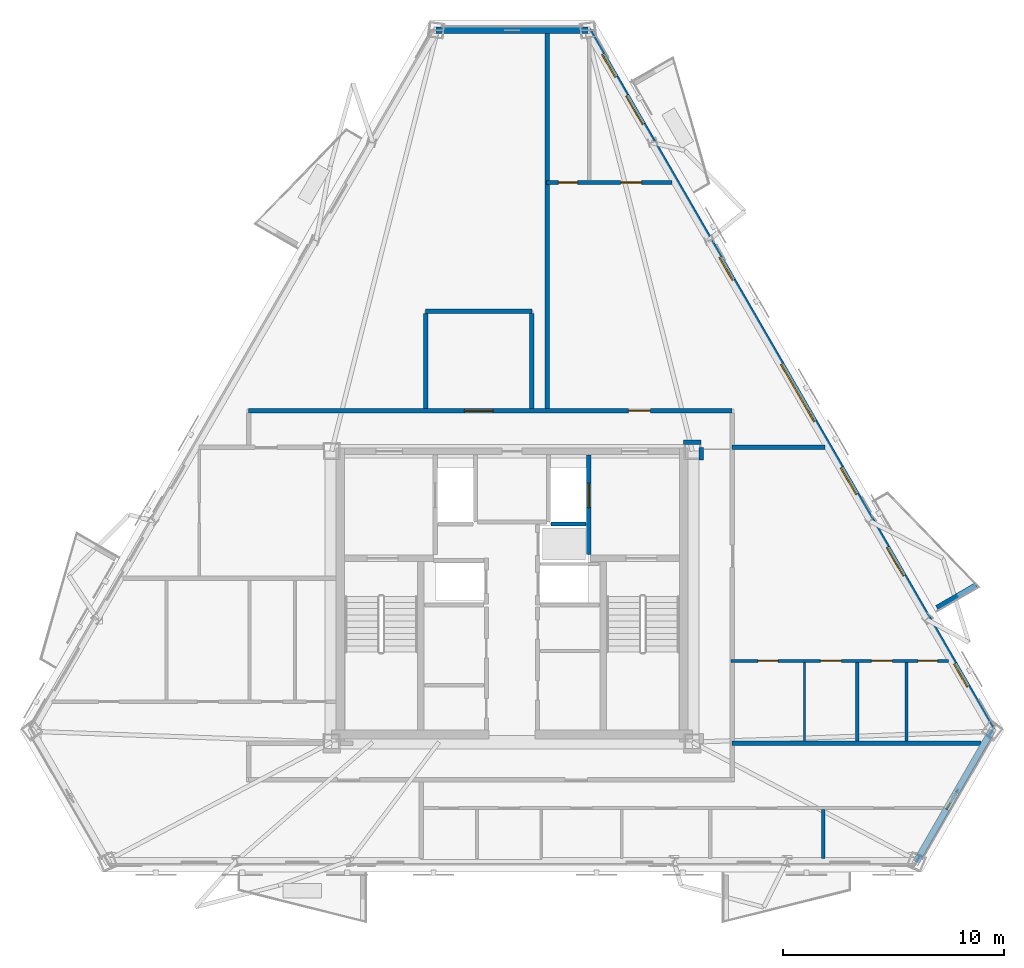
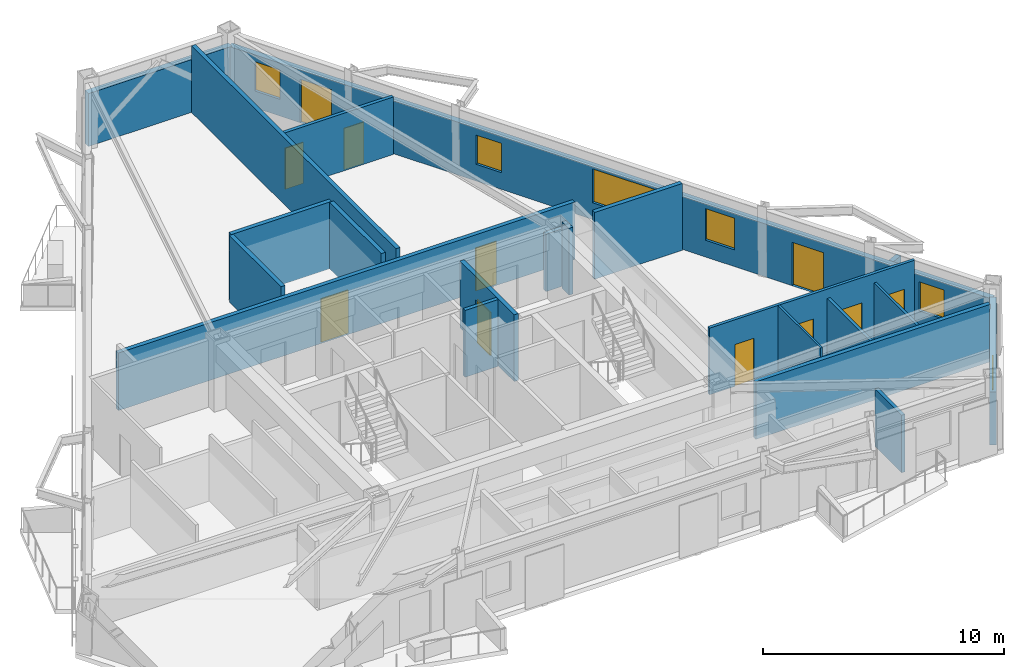
# One storey, part 5 of 11: 21 walls, 11 doors, 6 windows, 17 openings.
"""IFC4 building model written with IfcOpenShell, lengths in metres."""

from ifc_helpers import new_model, si_unit, direction, frame, frame_2d, origin, place, context, subcontext, project, spatial, polyline, rectangle, outline, extrude, material, layer, layer_set, type_object, element, fill, save


model = new_model("IFC4")

# Units and contexts
model_context = context("Model", 3, precision=1e-05, world=origin(), true_north=direction((0.0, 1.0)))
body_context = subcontext(model_context, "Body", "Model", "MODEL_VIEW")
ifc_project = project(units=[si_unit("LENGTHUNIT", "METRE"), si_unit("AREAUNIT", "SQUARE_METRE"), si_unit("VOLUMEUNIT", "CUBIC_METRE"), si_unit("PLANEANGLEUNIT", "RADIAN"), si_unit("MASSUNIT", "GRAM", prefix="KILO")], contexts=[model_context])

# Site, building, storey
site_placement = place(None, origin())
site = spatial("IfcSite", under=ifc_project, at=site_placement, CompositionType="ELEMENT")
building_placement = place(site_placement, origin())
building = spatial("IfcBuilding", under=site, at=building_placement, Name="Oramaril Tower", CompositionType="ELEMENT")
storey_placement = place(building_placement, frame((0.0, 0.0, 212.699951171875)))
storey = spatial("IfcBuildingStorey", under=building, at=storey_placement, Name="L56", CompositionType="ELEMENT", Elevation=212.699951171875)

# Wall, opening, window
ifc_material_1 = material(Name="Warm Cream Limestone", Category="masonry")
ifc_layer_1 = layer(ifc_material_1, 0.2900390625)
ifc_layer_set_1 = layer_set([ifc_layer_1], Name="WT-EXT29")
wall_type_1 = type_object("IfcWallType", Name="WT-EXT29", PredefinedType="SOLIDWALL", material=ifc_layer_set_1)
wall_1_placement = place(storey_placement, frame((55.761474609375, 5.584716796875, 0.0), z_axis=(0.0, 0.0, 1.0), x_axis=(0.499982540895, 0.866035483569, 0.0)))
wall_1 = element("IfcWall", 1, at=wall_1_placement, inside=storey, type_object=wall_type_1, Name="L56 Tower Limestone Facade Wall 3M", PredefinedType="SOLIDWALL", context=body_context, shape_type="SweptSolid", body=[
    extrude(rectangle(XDim=6.879638671875, YDim=0.2900390625, at=frame_2d((3.43994140625, 0.0))), origin(), (0.0, 0.0, 1.0), 2.677001953125),
])
opening_1_placement = place(wall_1_placement, frame((2.75, 0.0, 0.85009765625)))
opening_1 = element("IfcOpeningElement", 2, at=opening_1_placement, cuts=wall_1, Name="Opening WN-12", PredefinedType="OPENING", context=body_context, shape_type="SweptSolid", body=[
    extrude(rectangle(XDim=0.89990234375, YDim=1.14990234375, at=frame_2d((0.449951171875, 0.574951171875))), frame((0.0, 0.14501953125, 0.0), z_axis=(0.0, -1.0, 0.0), x_axis=(1.0, 0.0, 0.0)), (0.0, 0.0, 1.0), 0.2900390625),
])
ifc_material_2 = material(Name="Coastal Low-E Insulated Glass", Category="glass")
window_type_1 = type_object("IfcWindowType", Name="WNT-12", PartitioningType="SINGLE_PANEL", PredefinedType="WINDOW", material=ifc_material_2)
window_1_placement = place(opening_1_placement, origin())
window_1 = element("IfcWindow", 3, at=window_1_placement, inside=storey, type_object=window_type_1, Name="L56 Apartment Bedroom Window WN-12", OverallHeight=1.14990234375, OverallWidth=0.89990234375, PartitioningType="SINGLE_PANEL", PredefinedType="WINDOW", context=body_context, shape_type="SweptSolid", body=[
    extrude(rectangle(XDim=0.89990234375, YDim=1.14990234375, at=frame_2d((0.449951171875, 0.574951171875))), frame((0.0, 0.030029296875, 0.0), z_axis=(0.0, -1.0, 0.0), x_axis=(1.0, 0.0, 0.0)), (0.0, 0.0, 1.0), 0.06005859375),
])
fill(opening_1, window_1)

# Wall, openings, doors, windows
wall_2_placement = place(storey_placement, frame((59.201171875, 11.542724609375, 0.0), z_axis=(0.0, 0.0, 1.0), x_axis=(-0.499999040053, 0.866025958009, 0.0)))
wall_2 = element("IfcWall", 4, at=wall_2_placement, inside=storey, type_object=wall_type_1, Name="L56 Tower Limestone Facade Wall 4M", PredefinedType="SOLIDWALL", context=body_context, shape_type="SweptSolid", body=[
    extrude(rectangle(XDim=36.52294921875, YDim=0.2900390625, at=frame_2d((18.261474609375, 0.0))), origin(), (0.0, 0.0, 1.0), 2.677001953125),
])
opening_2_placement = place(wall_2_placement, frame((8.034423828125, 0.0, 0.0)))
opening_2 = element("IfcOpeningElement", 5, at=opening_2_placement, cuts=wall_2, Name="Opening D-L56-BAL-NE1", PredefinedType="OPENING", context=body_context, shape_type="SweptSolid", body=[
    extrude(rectangle(XDim=1.5, YDim=2.199951171875, at=frame_2d((0.75, 1.10009765625))), frame((0.0, 0.14501953125, 0.0), z_axis=(0.0, -1.0, 0.0), x_axis=(1.0, 0.0, 0.0)), (0.0, 0.0, 1.0), 0.2900390625),
])
opening_3_placement = place(wall_2_placement, frame((31.593505859375, 0.0, 0.0)))
opening_3 = element("IfcOpeningElement", 6, at=opening_3_placement, cuts=wall_2, Name="Opening D-L56-BAL-NE2", PredefinedType="OPENING", context=body_context, shape_type="SweptSolid", body=[
    extrude(rectangle(XDim=1.5, YDim=2.199951171875, at=frame_2d((0.75, 1.10009765625))), frame((0.0, 0.14501953125, 0.0), z_axis=(0.0, -1.0, 0.0), x_axis=(1.0, 0.0, 0.0)), (0.0, 0.0, 1.0), 0.2900390625),
])
opening_4_placement = place(wall_2_placement, frame((12.291015625, 0.0, 0.85009765625)))
opening_4 = element("IfcOpeningElement", 7, at=opening_4_placement, cuts=wall_2, Name="Opening WN-08", PredefinedType="OPENING", context=body_context, shape_type="SweptSolid", body=[
    extrude(rectangle(XDim=1.39990234375, YDim=1.60009765625, at=frame_2d((0.699951171875, 0.800048828125))), frame((0.0, 0.14501953125, 0.0), z_axis=(0.0, -1.0, 0.0), x_axis=(1.0, 0.0, 0.0)), (0.0, 0.0, 1.0), 0.2900390625),
])
opening_5_placement = place(wall_2_placement, frame((2.251708984375, 0.0, 0.85009765625)))
opening_5 = element("IfcOpeningElement", 8, at=opening_5_placement, cuts=wall_2, Name="Opening WN-09", PredefinedType="OPENING", context=body_context, shape_type="SweptSolid", body=[
    extrude(rectangle(XDim=1.199951171875, YDim=1.47998046875, at=frame_2d((0.60009765625, 0.739990234375))), frame((0.0, 0.14501953125, 0.0), z_axis=(0.0, -1.0, 0.0), x_axis=(1.0, 0.0, 0.0)), (0.0, 0.0, 1.0), 0.2900390625),
])
opening_6_placement = place(wall_2_placement, frame((16.0927734375, 0.0, 0.85009765625)))
opening_6 = element("IfcOpeningElement", 9, at=opening_6_placement, cuts=wall_2, Name="Opening WN-10", PredefinedType="OPENING", context=body_context, shape_type="SweptSolid", body=[
    extrude(rectangle(XDim=3.0, YDim=1.717041015625, at=frame_2d((1.5, 0.8583984375))), frame((0.0, 0.14501953125, 0.0), z_axis=(0.0, -1.0, 0.0), x_axis=(1.0, 0.0, 0.0)), (0.0, 0.0, 1.0), 0.2900390625),
])
opening_7_placement = place(wall_2_placement, frame((23.45751953125, 0.0, 0.85009765625)))
opening_7 = element("IfcOpeningElement", 10, at=opening_7_placement, cuts=wall_2, Name="Opening WN-09", PredefinedType="OPENING", context=body_context, shape_type="SweptSolid", body=[
    extrude(rectangle(XDim=1.199951171875, YDim=1.47998046875, at=frame_2d((0.60009765625, 0.739990234375))), frame((0.0, 0.14501953125, 0.0), z_axis=(0.0, -1.0, 0.0), x_axis=(1.0, 0.0, 0.0)), (0.0, 0.0, 1.0), 0.2900390625),
])
opening_8_placement = place(wall_2_placement, frame((34.060791015625, 0.0, 0.85009765625)))
opening_8 = element("IfcOpeningElement", 11, at=opening_8_placement, cuts=wall_2, Name="Opening WN-09", PredefinedType="OPENING", context=body_context, shape_type="SweptSolid", body=[
    extrude(rectangle(XDim=1.199951171875, YDim=1.47998046875, at=frame_2d((0.60009765625, 0.739990234375))), frame((0.0, 0.14501953125, 0.0), z_axis=(0.0, -1.0, 0.0), x_axis=(1.0, 0.0, 0.0)), (0.0, 0.0, 1.0), 0.2900390625),
])
ifc_material_3 = material(Name="Anodised Aluminium 6063-T6", Category="aluminium")
door_type_1 = type_object("IfcDoorType", Name="DT-BAL", OperationType="NOTDEFINED", PredefinedType="DOOR", material=ifc_material_3)
door_1_placement = place(opening_2_placement, origin())
door_1 = element("IfcDoor", 12, at=door_1_placement, inside=storey, type_object=door_type_1, Name="L56 Balcony Glazed Door L56-BAL-NE1", OperationType="SINGLE_SWING_LEFT", OverallHeight=2.199951171875, OverallWidth=1.5, PredefinedType="DOOR", context=body_context, shape_type="SweptSolid", body=[
    extrude(rectangle(XDim=1.5, YDim=2.199951171875, at=frame_2d((0.75, 1.10009765625))), frame((0.0, 0.02490234375, 0.0), z_axis=(0.0, -1.0, 0.0), x_axis=(1.0, 0.0, 0.0)), (0.0, 0.0, 1.0), 0.050048828125),
])
fill(opening_2, door_1)
door_2_placement = place(opening_3_placement, origin())
door_2 = element("IfcDoor", 13, at=door_2_placement, inside=storey, type_object=door_type_1, Name="L56 Balcony Glazed Door L56-BAL-NE2", OperationType="SINGLE_SWING_RIGHT", OverallHeight=2.199951171875, OverallWidth=1.5, PredefinedType="DOOR", context=body_context, shape_type="SweptSolid", body=[
    extrude(rectangle(XDim=1.5, YDim=2.199951171875, at=frame_2d((0.75, 1.10009765625))), frame((0.0, 0.02490234375, 0.0), z_axis=(0.0, -1.0, 0.0), x_axis=(1.0, 0.0, 0.0)), (0.0, 0.0, 1.0), 0.050048828125),
])
fill(opening_3, door_2)
ifc_material_4 = material(Name="Coastal Low-E Insulated Glass", Category="glass")
window_type_2 = type_object("IfcWindowType", Name="WNT-08", PartitioningType="SINGLE_PANEL", PredefinedType="WINDOW", material=ifc_material_4)
window_2_placement = place(opening_4_placement, origin())
window_2 = element("IfcWindow", 14, at=window_2_placement, inside=storey, type_object=window_type_2, Name="L56 Chicago Bay Window WN-08", OverallHeight=1.60009765625, OverallWidth=1.39990234375, PartitioningType="SINGLE_PANEL", PredefinedType="WINDOW", context=body_context, shape_type="SweptSolid", body=[
    extrude(rectangle(XDim=1.39990234375, YDim=1.60009765625, at=frame_2d((0.699951171875, 0.800048828125))), frame((0.0, 0.030029296875, 0.0), z_axis=(0.0, -1.0, 0.0), x_axis=(1.0, 0.0, 0.0)), (0.0, 0.0, 1.0), 0.06005859375),
])
fill(opening_4, window_2)
ifc_material_5 = material(Name="Coastal Low-E Insulated Glass", Category="glass")
window_type_3 = type_object("IfcWindowType", Name="WNT-09", PartitioningType="SINGLE_PANEL", PredefinedType="WINDOW", material=ifc_material_5)
window_3_placement = place(opening_5_placement, origin())
window_3 = element("IfcWindow", 15, at=window_3_placement, inside=storey, type_object=window_type_3, Name="L56 Chicago Bay Window WN-09", OverallHeight=1.47998046875, OverallWidth=1.199951171875, PartitioningType="SINGLE_PANEL", PredefinedType="WINDOW", context=body_context, shape_type="SweptSolid", body=[
    extrude(rectangle(XDim=1.199951171875, YDim=1.47998046875, at=frame_2d((0.60009765625, 0.739990234375))), frame((0.0, 0.030029296875, 0.0), z_axis=(0.0, -1.0, 0.0), x_axis=(1.0, 0.0, 0.0)), (0.0, 0.0, 1.0), 0.06005859375),
])
fill(opening_5, window_3)
window_4_placement = place(opening_7_placement, origin())
window_4 = element("IfcWindow", 16, at=window_4_placement, inside=storey, type_object=window_type_3, Name="L56 Chicago Bay Window WN-09", OverallHeight=1.47998046875, OverallWidth=1.199951171875, PartitioningType="SINGLE_PANEL", PredefinedType="WINDOW", context=body_context, shape_type="SweptSolid", body=[
    extrude(rectangle(XDim=1.199951171875, YDim=1.47998046875, at=frame_2d((0.60009765625, 0.739990234375))), frame((0.0, 0.030029296875, 0.0), z_axis=(0.0, -1.0, 0.0), x_axis=(1.0, 0.0, 0.0)), (0.0, 0.0, 1.0), 0.06005859375),
])
fill(opening_7, window_4)
window_5_placement = place(opening_8_placement, origin())
window_5 = element("IfcWindow", 17, at=window_5_placement, inside=storey, type_object=window_type_3, Name="L56 Chicago Bay Window WN-09", OverallHeight=1.47998046875, OverallWidth=1.199951171875, PartitioningType="SINGLE_PANEL", PredefinedType="WINDOW", context=body_context, shape_type="SweptSolid", body=[
    extrude(rectangle(XDim=1.199951171875, YDim=1.47998046875, at=frame_2d((0.60009765625, 0.739990234375))), frame((0.0, 0.030029296875, 0.0), z_axis=(0.0, -1.0, 0.0), x_axis=(1.0, 0.0, 0.0)), (0.0, 0.0, 1.0), 0.06005859375),
])
fill(opening_8, window_5)
ifc_material_6 = material(Name="Coastal Low-E Insulated Glass", Category="glass")
window_type_4 = type_object("IfcWindowType", Name="WNT-10", PartitioningType="SINGLE_PANEL", PredefinedType="WINDOW", material=ifc_material_6)
window_6_placement = place(opening_6_placement, origin())
window_6 = element("IfcWindow", 18, at=window_6_placement, inside=storey, type_object=window_type_4, Name="L56 Chicago Bay Window WN-10", OverallHeight=1.717041015625, OverallWidth=3.0, PartitioningType="SINGLE_PANEL", PredefinedType="WINDOW", context=body_context, shape_type="SweptSolid", body=[
    extrude(rectangle(XDim=3.0, YDim=1.717041015625, at=frame_2d((1.5, 0.8583984375))), frame((0.0, 0.030029296875, 0.0), z_axis=(0.0, -1.0, 0.0), x_axis=(1.0, 0.0, 0.0)), (0.0, 0.0, 1.0), 0.06005859375),
])
fill(opening_6, window_6)

# Walls
wall_3_placement = place(storey_placement, frame((40.939697265625, 43.172607421875, 0.0), z_axis=(0.0, 0.0, 1.0), x_axis=(-1.0, 0.0, 0.0)))
element("IfcWall", 19, at=wall_3_placement, inside=storey, type_object=wall_type_1, Name="L56 Tower Limestone Facade Wall 5M", PredefinedType="SOLIDWALL", context=body_context, shape_type="SweptSolid", body=[
    extrude(rectangle(XDim=6.87939453125, YDim=0.2900390625, at=frame_2d((3.439697265625, 0.0))), origin(), (0.0, 0.0, 1.0), 2.677001953125),
])
ifc_material_7 = material(Name="Concrete C40/50", Category="concrete")
ifc_layer_2 = layer(ifc_material_7, 0.22998046875)
ifc_layer_set_2 = layer_set([ifc_layer_2], Name="WT-PRP23")
wall_type_2 = type_object("IfcWallType", Name="WT-PRP23", PredefinedType="PARAPET", material=ifc_layer_set_2)
wall_4_placement = place(storey_placement, frame((56.699462890625, 17.072021484375, 0.0), z_axis=(0.0, 0.0, 1.0), x_axis=(0.866012356593, 0.500022597718, 0.0)))
element("IfcWall", 20, at=wall_4_placement, inside=storey, type_object=wall_type_2, Name="L56 Trapezoidal Balcony Frame Cheek L56-BAL-NE1-L", PredefinedType="PARAPET", context=body_context, shape_type="SweptSolid", body=[
    extrude(outline(polyline([(0.0, 0.0), (2.0419921875, 0.0), (2.0419921875, 1.10009765625), (0.0, 1.320068359375), (0.0, 0.0)])), frame((0.0, 0.114990234375, 0.0), z_axis=(0.0, -1.0, 0.0), x_axis=(1.0, 0.0, 0.0)), (0.0, 0.0, 1.0), 0.22998046875),
])
ifc_material_8 = material(Name="Acoustic Gypsum Board Partition")
ifc_layer_3 = layer(ifc_material_8, 0.10009765625)
ifc_layer_set_3 = layer_set([ifc_layer_3], Name="WT-PT10")
wall_type_3 = type_object("IfcWallType", Name="WT-PT10", PredefinedType="PARTITIONING", material=ifc_layer_set_3)
wall_5_placement = place(storey_placement, frame((50.719970703125, 11.053955078125, 0.0), z_axis=(0.0, 0.0, 1.0), x_axis=(0.0, 1.0, 0.0)))
element("IfcWall", 21, at=wall_5_placement, inside=storey, type_object=wall_type_3, Name="L56 Interior Partition PT-10", PredefinedType="PARTITIONING", context=body_context, shape_type="SweptSolid", body=[
    extrude(rectangle(XDim=3.5419921875, YDim=0.10009765625, at=frame_2d((1.77099609375, 0.0))), origin(), (0.0, 0.0, 1.0), 3.380126953125),
])
ifc_material_9 = material(Name="Acoustic Gypsum Board Partition")
ifc_layer_4 = layer(ifc_material_9, 0.1201171875)
ifc_layer_set_4 = layer_set([ifc_layer_4], Name="WT-PT12")
wall_type_4 = type_object("IfcWallType", Name="WT-PT12", PredefinedType="PARTITIONING", material=ifc_layer_set_4)
wall_6_placement = place(storey_placement, frame((55.330078125, 11.053955078125, 0.0), z_axis=(0.0, 0.0, 1.0), x_axis=(0.0, 1.0, 0.0)))
element("IfcWall", 22, at=wall_6_placement, inside=storey, type_object=wall_type_4, Name="L56 Interior Partition PT-12", PredefinedType="PARTITIONING", context=body_context, shape_type="SweptSolid", body=[
    extrude(rectangle(XDim=3.5419921875, YDim=0.1201171875, at=frame_2d((1.77099609375, 0.0))), origin(), (0.0, 0.0, 1.0), 2.9130859375),
])

# Wall, openings, doors
ifc_material_10 = material(Name="Acoustic Gypsum Board Partition")
ifc_layer_5 = layer(ifc_material_10, 0.139892578125)
ifc_layer_set_5 = layer_set([ifc_layer_5], Name="WT-PT14")
wall_type_5 = type_object("IfcWallType", Name="WT-PT14", PredefinedType="PARTITIONING", material=ifc_layer_set_5)
wall_7_placement = place(storey_placement, frame((47.39990234375, 14.669921875, 0.0), z_axis=(0.0, 0.0, 1.0), x_axis=(1.0, 0.0, 0.0)))
wall_7 = element("IfcWall", 23, at=wall_7_placement, inside=storey, type_object=wall_type_5, Name="L56 Interior Partition PT-14", PredefinedType="PARTITIONING", context=body_context, shape_type="SweptSolid", body=[
    extrude(rectangle(XDim=9.82373046875, YDim=0.139892578125, at=frame_2d((4.911865234375, 0.0))), origin(), (0.0, 0.0, 1.0), 3.380126953125),
])
opening_9_placement = place(wall_7_placement, frame((1.20751953125, 0.0, 0.0)))
opening_9 = element("IfcOpeningElement", 24, at=opening_9_placement, cuts=wall_7, Name="Opening D-L56-13", PredefinedType="OPENING", context=body_context, shape_type="SweptSolid", body=[
    extrude(rectangle(XDim=0.919921875, YDim=2.1201171875, at=frame_2d((0.4599609375, 1.06005859375))), frame((0.0, 0.06982421875, 0.0), z_axis=(0.0, -1.0, 0.0), x_axis=(1.0, 0.0, 0.0)), (0.0, 0.0, 1.0), 0.139892578125),
])
opening_10_placement = place(wall_7_placement, frame((4.033203125, 0.0, 0.0)))
opening_10 = element("IfcOpeningElement", 25, at=opening_10_placement, cuts=wall_7, Name="Opening D-L56-14", PredefinedType="OPENING", context=body_context, shape_type="SweptSolid", body=[
    extrude(rectangle(XDim=0.949951171875, YDim=2.10009765625, at=frame_2d((0.47509765625, 1.050048828125))), frame((0.0, 0.06982421875, 0.0), z_axis=(0.0, -1.0, 0.0), x_axis=(1.0, 0.0, 0.0)), (0.0, 0.0, 1.0), 0.139892578125),
])
opening_11_placement = place(wall_7_placement, frame((6.341796875, 0.0, 0.0)))
opening_11 = element("IfcOpeningElement", 26, at=opening_11_placement, cuts=wall_7, Name="Opening D-L56-15", PredefinedType="OPENING", context=body_context, shape_type="SweptSolid", body=[
    extrude(rectangle(XDim=0.949951171875, YDim=2.10009765625, at=frame_2d((0.47509765625, 1.050048828125))), frame((0.0, 0.06982421875, 0.0), z_axis=(0.0, -1.0, 0.0), x_axis=(1.0, 0.0, 0.0)), (0.0, 0.0, 1.0), 0.139892578125),
])
opening_12_placement = place(wall_7_placement, frame((8.452392578125, 0.0, 0.0)))
opening_12 = element("IfcOpeningElement", 27, at=opening_12_placement, cuts=wall_7, Name="Opening D-L56-16", PredefinedType="OPENING", context=body_context, shape_type="SweptSolid", body=[
    extrude(rectangle(XDim=0.8798828125, YDim=2.080078125, at=frame_2d((0.43994140625, 1.0400390625))), frame((0.0, 0.06982421875, 0.0), z_axis=(0.0, -1.0, 0.0), x_axis=(1.0, 0.0, 0.0)), (0.0, 0.0, 1.0), 0.139892578125),
])
ifc_material_11 = material(Name="FSC Brazilian Freijo Hardwood", Category="wood")
door_type_2 = type_object("IfcDoorType", Name="DT-BATH", OperationType="NOTDEFINED", PredefinedType="DOOR", material=ifc_material_11)
door_3_placement = place(opening_12_placement, origin())
door_3 = element("IfcDoor", 28, at=door_3_placement, inside=storey, type_object=door_type_2, Name="L56 Flat L56-U4 Bathroom Door D-L56-16", OperationType="SINGLE_SWING_LEFT", OverallHeight=2.080078125, OverallWidth=0.8798828125, PredefinedType="DOOR", context=body_context, shape_type="SweptSolid", body=[
    extrude(rectangle(XDim=0.8798828125, YDim=2.080078125, at=frame_2d((0.43994140625, 1.0400390625))), frame((0.0, 0.02490234375, 0.0), z_axis=(0.0, -1.0, 0.0), x_axis=(1.0, 0.0, 0.0)), (0.0, 0.0, 1.0), 0.050048828125),
])
fill(opening_12, door_3)
ifc_material_12 = material(Name="FSC Brazilian Freijo Hardwood", Category="wood")
door_type_3 = type_object("IfcDoorType", Name="DT-BED", OperationType="NOTDEFINED", PredefinedType="DOOR", material=ifc_material_12)
door_4_placement = place(opening_9_placement, origin())
door_4 = element("IfcDoor", 29, at=door_4_placement, inside=storey, type_object=door_type_3, Name="L56 Flat L56-U4 Master Bedroom Door D-L56-13", OperationType="SINGLE_SWING_RIGHT", OverallHeight=2.1201171875, OverallWidth=0.919921875, PredefinedType="DOOR", context=body_context, shape_type="SweptSolid", body=[
    extrude(rectangle(XDim=0.919921875, YDim=2.1201171875, at=frame_2d((0.4599609375, 1.06005859375))), frame((0.0, 0.02490234375, 0.0), z_axis=(0.0, -1.0, 0.0), x_axis=(1.0, 0.0, 0.0)), (0.0, 0.0, 1.0), 0.050048828125),
])
fill(opening_9, door_4)
ifc_material_13 = material(Name="FSC Brazilian Freijo Hardwood", Category="wood")
door_type_4 = type_object("IfcDoorType", Name="DT-STDY", OperationType="NOTDEFINED", PredefinedType="DOOR", material=ifc_material_13)
door_5_placement = place(opening_10_placement, origin())
door_5 = element("IfcDoor", 30, at=door_5_placement, inside=storey, type_object=door_type_4, Name="L56 Flat L56-U4 Dining Room Door D-L56-14", OperationType="SINGLE_SWING_LEFT", OverallHeight=2.10009765625, OverallWidth=0.949951171875, PredefinedType="DOOR", context=body_context, shape_type="SweptSolid", body=[
    extrude(rectangle(XDim=0.949951171875, YDim=2.10009765625, at=frame_2d((0.47509765625, 1.050048828125))), frame((0.0, 0.02490234375, 0.0), z_axis=(0.0, -1.0, 0.0), x_axis=(1.0, 0.0, 0.0)), (0.0, 0.0, 1.0), 0.050048828125),
])
fill(opening_10, door_5)
door_6_placement = place(opening_11_placement, origin())
door_6 = element("IfcDoor", 31, at=door_6_placement, inside=storey, type_object=door_type_4, Name="L56 Flat L56-U4 Kitchen Door D-L56-15", OperationType="SINGLE_SWING_RIGHT", OverallHeight=2.10009765625, OverallWidth=0.949951171875, PredefinedType="DOOR", context=body_context, shape_type="SweptSolid", body=[
    extrude(rectangle(XDim=0.949951171875, YDim=2.10009765625, at=frame_2d((0.47509765625, 1.050048828125))), frame((0.0, 0.02490234375, 0.0), z_axis=(0.0, -1.0, 0.0), x_axis=(1.0, 0.0, 0.0)), (0.0, 0.0, 1.0), 0.050048828125),
])
fill(opening_11, door_6)

# Wall
wall_8_placement = place(storey_placement, frame((53.10009765625, 11.053955078125, 0.0), z_axis=(0.0, 0.0, 1.0), x_axis=(0.0, 1.0, 0.0)))
element("IfcWall", 32, at=wall_8_placement, inside=storey, type_object=wall_type_5, Name="L56 Interior Partition PT-14", PredefinedType="PARTITIONING", context=body_context, shape_type="SweptSolid", body=[
    extrude(rectangle(XDim=3.5419921875, YDim=0.139892578125, at=frame_2d((1.77099609375, 0.0))), origin(), (0.0, 0.0, 1.0), 2.9130859375),
])

# Wall, openings, doors
ifc_material_14 = material(Name="Acoustic Gypsum Board Partition")
ifc_layer_6 = layer(ifc_material_14, 0.159912109375)
ifc_layer_set_6 = layer_set([ifc_layer_6], Name="WT-PT16")
wall_type_6 = type_object("IfcWallType", Name="WT-PT16", PredefinedType="PARTITIONING", material=ifc_layer_set_6)
wall_9_placement = place(storey_placement, frame((39.050048828125, 36.2900390625, 0.0), z_axis=(0.0, 0.0, 1.0), x_axis=(1.0, 0.0, 0.0)))
wall_9 = element("IfcWall", 33, at=wall_9_placement, inside=storey, type_object=wall_type_6, Name="L56 Interior Partition PT-16", PredefinedType="PARTITIONING", context=body_context, shape_type="SweptSolid", body=[
    extrude(rectangle(XDim=5.691162109375, YDim=0.159912109375, at=frame_2d((2.845703125, 0.0))), origin(), (0.0, 0.0, 1.0), 2.9130859375),
])
opening_13_placement = place(wall_9_placement, frame((0.5400390625, 0.0, 0.0)))
opening_13 = element("IfcOpeningElement", 34, at=opening_13_placement, cuts=wall_9, Name="Opening D-L56-20", PredefinedType="OPENING", context=body_context, shape_type="SweptSolid", body=[
    extrude(rectangle(XDim=0.8798828125, YDim=2.080078125, at=frame_2d((0.43994140625, 1.0400390625))), frame((0.0, 0.080078125, 0.0), z_axis=(0.0, -1.0, 0.0), x_axis=(1.0, 0.0, 0.0)), (0.0, 0.0, 1.0), 0.159912109375),
])
opening_14_placement = place(wall_9_placement, frame((3.355224609375, 0.0, 0.0)))
opening_14 = element("IfcOpeningElement", 35, at=opening_14_placement, cuts=wall_9, Name="Opening D-L56-21", PredefinedType="OPENING", context=body_context, shape_type="SweptSolid", body=[
    extrude(rectangle(XDim=0.949951171875, YDim=2.10009765625, at=frame_2d((0.47509765625, 1.050048828125))), frame((0.0, 0.080078125, 0.0), z_axis=(0.0, -1.0, 0.0), x_axis=(1.0, 0.0, 0.0)), (0.0, 0.0, 1.0), 0.159912109375),
])
door_7_placement = place(opening_13_placement, origin())
door_7 = element("IfcDoor", 36, at=door_7_placement, inside=storey, type_object=door_type_2, Name="L56 Flat L56-U6 Bathroom Door D-L56-20", OperationType="SINGLE_SWING_LEFT", OverallHeight=2.080078125, OverallWidth=0.8798828125, PredefinedType="DOOR", context=body_context, shape_type="SweptSolid", body=[
    extrude(rectangle(XDim=0.8798828125, YDim=2.080078125, at=frame_2d((0.43994140625, 1.0400390625))), frame((0.0, 0.02490234375, 0.0), z_axis=(0.0, -1.0, 0.0), x_axis=(1.0, 0.0, 0.0)), (0.0, 0.0, 1.0), 0.050048828125),
])
fill(opening_13, door_7)
door_8_placement = place(opening_14_placement, origin())
door_8 = element("IfcDoor", 37, at=door_8_placement, inside=storey, type_object=door_type_4, Name="L56 Flat L56-U6 Kitchen Door D-L56-21", OperationType="SINGLE_SWING_RIGHT", OverallHeight=2.10009765625, OverallWidth=0.949951171875, PredefinedType="DOOR", context=body_context, shape_type="SweptSolid", body=[
    extrude(rectangle(XDim=0.949951171875, YDim=2.10009765625, at=frame_2d((0.47509765625, 1.050048828125))), frame((0.0, 0.02490234375, 0.0), z_axis=(0.0, -1.0, 0.0), x_axis=(1.0, 0.0, 0.0)), (0.0, 0.0, 1.0), 0.050048828125),
])
fill(opening_14, door_8)

# Walls
wall_10_placement = place(storey_placement, frame((51.56005859375, 5.73388671875, 0.0), z_axis=(0.0, 0.0, 1.0), x_axis=(0.0, 1.0, 0.0)))
element("IfcWall", 38, at=wall_10_placement, inside=storey, type_object=wall_type_6, Name="L56 Interior Partition PT-16", PredefinedType="PARTITIONING", context=body_context, shape_type="SweptSolid", body=[
    extrude(rectangle(XDim=2.22216796875, YDim=0.159912109375, at=frame_2d((1.111083984375, 0.0))), origin(), (0.0, 0.0, 1.0), 2.9130859375),
])
ifc_material_15 = material(Name="Autoclaved Cellular Concrete Block", Category="concrete")
ifc_layer_7 = layer(ifc_material_15, 0.179931640625)
ifc_layer_set_7 = layer_set([ifc_layer_7], Name="WT-PT18")
wall_type_7 = type_object("IfcWallType", Name="WT-PT18", PredefinedType="PARTITIONING", material=ifc_layer_set_7)
wall_11_placement = place(storey_placement, frame((39.260009765625, 20.860107421875, 0.0), z_axis=(0.0, 0.0, 1.0), x_axis=(1.0, 0.0, 0.0)))
element("IfcWall", 39, at=wall_11_placement, inside=storey, type_object=wall_type_7, Name="L56 FL-2 South Shaft Wall", PredefinedType="PARTITIONING", context=body_context, shape_type="SweptSolid", body=[
    extrude(rectangle(XDim=1.580078125, YDim=0.179931640625, at=frame_2d((0.7900390625, 0.0))), origin(), (0.0, 0.0, 1.0), 3.380126953125),
])
ifc_material_16 = material(Name="Autoclaved Cellular Concrete Block", Category="concrete")
ifc_layer_8 = layer(ifc_material_16, 0.199951171875)
ifc_layer_set_8 = layer_set([ifc_layer_8], Name="WT-PT20")
wall_type_8 = type_object("IfcWallType", Name="WT-PT20", PredefinedType="PARTITIONING", material=ifc_layer_set_8)
wall_12_placement = place(storey_placement, frame((47.449951171875, 10.949951171875, 0.0), z_axis=(0.0, 0.0, 1.0), x_axis=(1.0, 0.0, 0.0)))
element("IfcWall", 40, at=wall_12_placement, inside=storey, type_object=wall_type_8, Name="L56 Interior Partition PT-20", PredefinedType="PARTITIONING", context=body_context, shape_type="SweptSolid", body=[
    extrude(rectangle(XDim=11.237060546875, YDim=0.199951171875, at=frame_2d((5.61865234375, 0.0))), origin(), (0.0, 0.0, 1.0), 2.9130859375),
])
wall_13_placement = place(storey_placement, frame((47.449951171875, 24.320068359375, 0.0), z_axis=(0.0, 0.0, 1.0), x_axis=(1.0, 0.0, 0.0)))
element("IfcWall", 41, at=wall_13_placement, inside=storey, type_object=wall_type_8, Name="L56 Interior Partition PT-20", PredefinedType="PARTITIONING", context=body_context, shape_type="SweptSolid", body=[
    extrude(rectangle(XDim=4.2021484375, YDim=0.199951171875, at=frame_2d((2.10107421875, 0.0))), origin(), (0.0, 0.0, 1.0), 3.380126953125),
])
wall_14_placement = place(storey_placement, frame((45.2548828125, 24.550048828125, 0.0), z_axis=(0.0, 0.0, 1.0), x_axis=(1.0, 0.0, 0.0)))
element("IfcWall", 42, at=wall_14_placement, inside=storey, type_object=wall_type_8, Name="L56 Interior Partition PT-20", PredefinedType="PARTITIONING", context=body_context, shape_type="SweptSolid", body=[
    extrude(rectangle(XDim=0.7900390625, YDim=0.199951171875, at=frame_2d((0.39501953125, 0.0))), origin(), (0.0, 0.0, 1.0), 2.9130859375),
])

# Wall, openings, doors
wall_15_placement = place(storey_placement, frame((25.60009765625, 25.969970703125, 0.0), z_axis=(0.0, 0.0, 1.0), x_axis=(1.0, 0.0, 0.0)))
wall_15 = element("IfcWall", 43, at=wall_15_placement, inside=storey, type_object=wall_type_8, Name="L56 Interior Partition PT-20", PredefinedType="PARTITIONING", context=body_context, shape_type="SweptSolid", body=[
    extrude(rectangle(XDim=21.849853515625, YDim=0.199951171875, at=frame_2d((10.9248046875, 0.0))), origin(), (0.0, 0.0, 1.0), 2.9130859375),
])
opening_15_placement = place(wall_15_placement, frame((9.75, 0.0, 0.0)))
opening_15 = element("IfcOpeningElement", 44, at=opening_15_placement, cuts=wall_15, Name="Opening D-L56-18", PredefinedType="OPENING", context=body_context, shape_type="SweptSolid", body=[
    extrude(rectangle(XDim=1.300048828125, YDim=2.199951171875, at=frame_2d((0.64990234375, 1.10009765625))), frame((0.0, 0.10009765625, 0.0), z_axis=(0.0, -1.0, 0.0), x_axis=(1.0, 0.0, 0.0)), (0.0, 0.0, 1.0), 0.199951171875),
])
opening_16_placement = place(wall_15_placement, frame((17.154052734375, 0.0, 0.0)))
opening_16 = element("IfcOpeningElement", 45, at=opening_16_placement, cuts=wall_15, Name="Opening D-L56-19", PredefinedType="OPENING", context=body_context, shape_type="SweptSolid", body=[
    extrude(rectangle(XDim=1.0, YDim=2.179931640625, at=frame_2d((0.5, 1.08984375))), frame((0.0, 0.10009765625, 0.0), z_axis=(0.0, -1.0, 0.0), x_axis=(1.0, 0.0, 0.0)), (0.0, 0.0, 1.0), 0.199951171875),
])
ifc_material_17 = material(Name="FSC Brazilian Freijo Hardwood", Category="wood")
door_type_5 = type_object("IfcDoorType", Name="DT-APT", OperationType="NOTDEFINED", PredefinedType="DOOR", material=ifc_material_17)
door_9_placement = place(opening_16_placement, origin())
door_9 = element("IfcDoor", 46, at=door_9_placement, inside=storey, type_object=door_type_5, Name="L56 Flat L56-U6 Studio Apartment Door D-L56-19", OperationType="SINGLE_SWING_RIGHT", OverallHeight=2.179931640625, OverallWidth=1.0, PredefinedType="DOOR", context=body_context, shape_type="SweptSolid", body=[
    extrude(rectangle(XDim=1.0, YDim=2.179931640625, at=frame_2d((0.5, 1.08984375))), frame((0.0, 0.02490234375, 0.0), z_axis=(0.0, -1.0, 0.0), x_axis=(1.0, 0.0, 0.0)), (0.0, 0.0, 1.0), 0.050048828125),
])
fill(opening_16, door_9)
ifc_material_18 = material(Name="FSC Brazilian Freijo Hardwood", Category="wood")
door_type_6 = type_object("IfcDoorType", Name="DT-COM", OperationType="NOTDEFINED", PredefinedType="DOOR", material=ifc_material_18)
door_10_placement = place(opening_15_placement, origin())
door_10 = element("IfcDoor", 47, at=door_10_placement, inside=storey, type_object=door_type_6, Name="L56 L56 Residents Reading Library Door D-L56-18", OperationType="SINGLE_SWING_LEFT", OverallHeight=2.199951171875, OverallWidth=1.300048828125, PredefinedType="DOOR", context=body_context, shape_type="SweptSolid", body=[
    extrude(rectangle(XDim=1.300048828125, YDim=2.199951171875, at=frame_2d((0.64990234375, 1.10009765625))), frame((0.0, 0.02490234375, 0.0), z_axis=(0.0, -1.0, 0.0), x_axis=(1.0, 0.0, 0.0)), (0.0, 0.0, 1.0), 0.050048828125),
])
fill(opening_15, door_10)

# Walls
wall_16_placement = place(storey_placement, frame((33.60009765625, 30.469970703125, 0.0), z_axis=(0.0, 0.0, 1.0), x_axis=(1.0, 0.0, 0.0)))
element("IfcWall", 48, at=wall_16_placement, inside=storey, type_object=wall_type_8, Name="L56 Interior Partition PT-20", PredefinedType="PARTITIONING", context=body_context, shape_type="SweptSolid", body=[
    extrude(rectangle(XDim=4.7998046875, YDim=0.199951171875, at=frame_2d((2.39990234375, 0.0))), origin(), (0.0, 0.0, 1.0), 3.380126953125),
])
for number, where, z_axis, x_axis, name in (
    (49, (33.60009765625, 26.073974609375, 0.0), (0.0, 0.0, 1.0), (0.0, 1.0, 0.0), "L56 Interior Partition PT-20"),
    (50, (38.39990234375, 26.073974609375, 0.0), (0.0, 0.0, 1.0), (0.0, 1.0, 0.0), "L56 Interior Partition PT-20"),
):
    element("IfcWall", number, at=place(storey_placement, frame(where, z_axis=z_axis, x_axis=x_axis)), inside=storey, type_object=wall_type_8, Name=name, PredefinedType="PARTITIONING", context=body_context, shape_type="SweptSolid", body=[
        extrude(rectangle(XDim=4.2919921875, YDim=0.199951171875, at=frame_2d((2.14599609375, 0.0))), origin(), (0.0, 0.0, 1.0), 3.380126953125),
    ])
wall_17_placement = place(storey_placement, frame((39.10009765625, 26.073974609375, 0.0), z_axis=(0.0, 0.0, 1.0), x_axis=(0.0, 1.0, 0.0)))
element("IfcWall", 51, at=wall_17_placement, inside=storey, type_object=wall_type_8, Name="L56 Interior Partition PT-20", PredefinedType="PARTITIONING", context=body_context, shape_type="SweptSolid", body=[
    extrude(rectangle(XDim=16.949462890625, YDim=0.199951171875, at=frame_2d((8.474609375, 0.0))), origin(), (0.0, 0.0, 1.0), 3.380126953125),
])
wall_18_placement = place(storey_placement, frame((46.050048828125, 23.7548828125, 0.0), z_axis=(0.0, 0.0, 1.0), x_axis=(0.0, 1.0, 0.0)))
element("IfcWall", 52, at=wall_18_placement, inside=storey, type_object=wall_type_8, Name="L56 Interior Partition PT-20", PredefinedType="PARTITIONING", context=body_context, shape_type="SweptSolid", body=[
    extrude(rectangle(XDim=0.565185546875, YDim=0.199951171875, at=frame_2d((0.28271484375, 0.0))), origin(), (0.0, 0.0, 1.0), 3.380126953125),
])

# Wall, opening, door
ifc_material_19 = material(Name="Autoclaved Cellular Concrete Block", Category="concrete")
ifc_layer_9 = layer(ifc_material_19, 0.199951171875)
ifc_layer_set_9 = layer_set([ifc_layer_9], Name="WT-SHF20")
wall_type_9 = type_object("IfcWallType", Name="WT-SHF20", PredefinedType="PARTITIONING", material=ifc_layer_set_9)
wall_19_placement = place(storey_placement, frame((40.9599609375, 19.47998046875, 0.0), z_axis=(0.0, 0.0, 1.0), x_axis=(0.0, 1.0, 0.0)))
wall_19 = element("IfcWall", 53, at=wall_19_placement, inside=storey, type_object=wall_type_9, Name="L56 FL-2 Lobby Shaft Wall", PredefinedType="PARTITIONING", context=body_context, shape_type="SweptSolid", body=[
    extrude(rectangle(XDim=4.5, YDim=0.199951171875, at=frame_2d((2.25, 0.0))), origin(), (0.0, 0.0, 1.0), 3.380126953125),
])
opening_17_placement = place(wall_19_placement, frame((2.1201171875, 0.0, 0.0)))
opening_17 = element("IfcOpeningElement", 54, at=opening_17_placement, cuts=wall_19, Name="Opening LD-L56-FL-2", PredefinedType="OPENING", context=body_context, shape_type="SweptSolid", body=[
    extrude(rectangle(XDim=1.10009765625, YDim=2.199951171875, at=frame_2d((0.550048828125, 1.10009765625))), frame((0.0, 0.10009765625, 0.0), z_axis=(0.0, -1.0, 0.0), x_axis=(1.0, 0.0, 0.0)), (0.0, 0.0, 1.0), 0.199951171875),
])
ifc_material_20 = material(Name="Stainless Steel 316L", Category="steel")
door_type_7 = type_object("IfcDoorType", Name="DT-LD1", OperationType="NOTDEFINED", PredefinedType="DOOR", material=ifc_material_20)
door_11_placement = place(opening_17_placement, origin())
door_11 = element("IfcDoor", 55, at=door_11_placement, inside=storey, type_object=door_type_7, Name="L56 Lift FL-2 Sliding Landing Door", OperationType="SLIDING_TO_RIGHT", OverallHeight=2.199951171875, OverallWidth=1.10009765625, PredefinedType="DOOR", context=body_context, shape_type="SweptSolid", body=[
    extrude(rectangle(XDim=1.10009765625, YDim=2.199951171875, at=frame_2d((0.550048828125, 1.10009765625))), frame((0.0, 0.02490234375, 0.0), z_axis=(0.0, -1.0, 0.0), x_axis=(1.0, 0.0, 0.0)), (0.0, 0.0, 1.0), 0.050048828125),
])
fill(opening_17, door_11)

save(model, "model.ifc")
